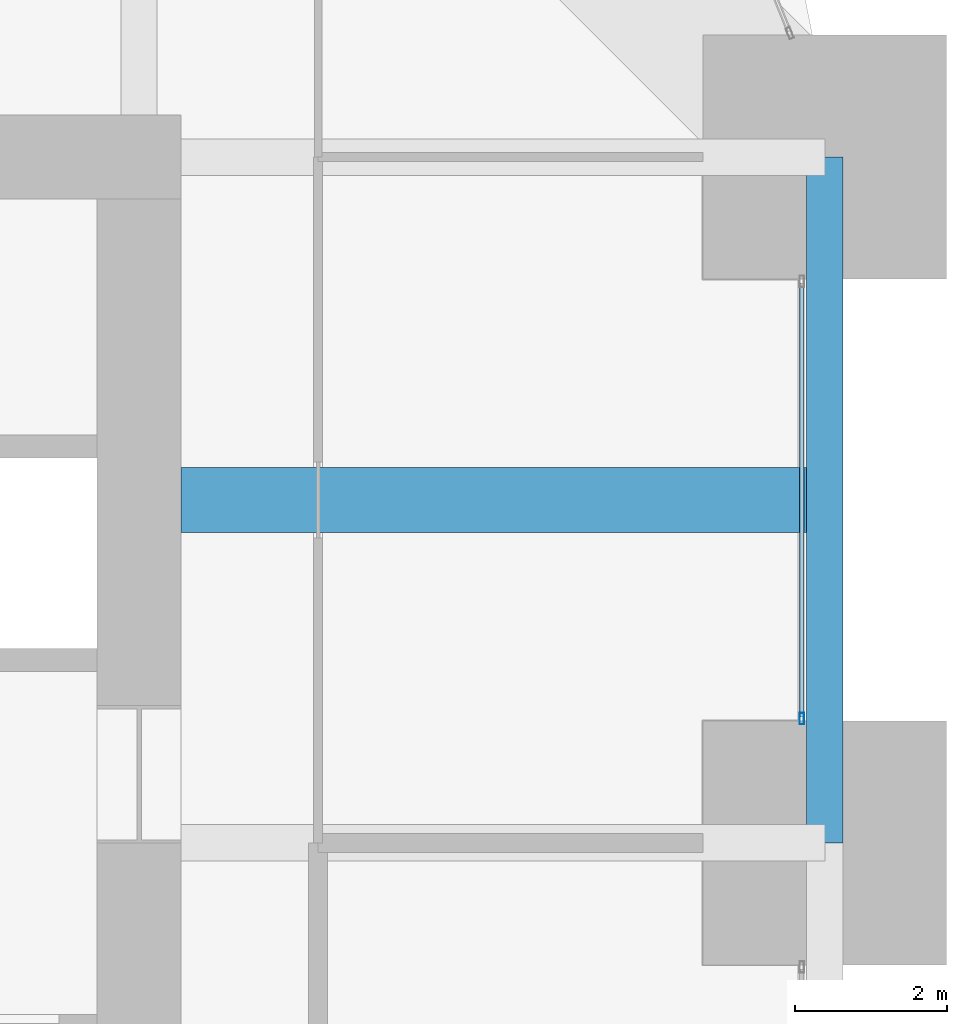
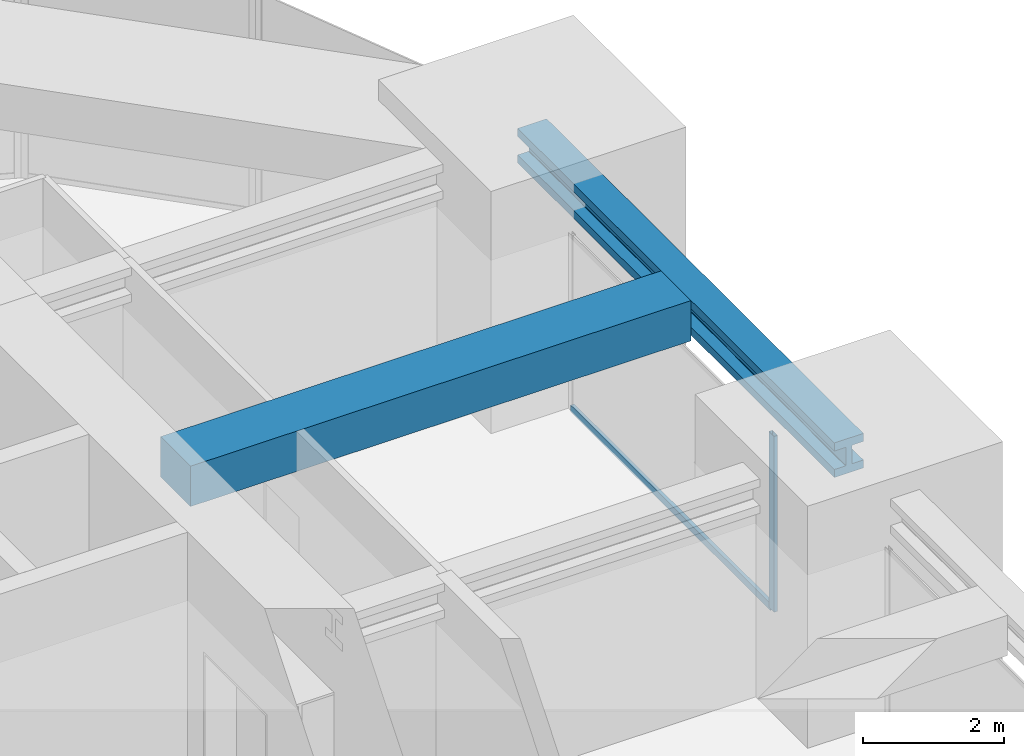
# One storey, part 22 of 39: 2 beams, 2 members, 1 element without a shape of its own.
"""IFC4 building model written with IfcOpenShell, lengths in metres."""

from ifc_helpers import new_model, si_unit, direction, frame, origin, origin_2d, place, context, subcontext, project, spatial, rectangle, hollow_rectangle, i_section, extrude, material, material_profile, profile_set, type_object, element, aggregate, save


model = new_model("IFC4")

# Units and contexts
model_context = context("Model", 3, precision=1e-05, world=origin(), true_north=direction((0.0, 1.0)))
body_context = subcontext(model_context, "Body", "Model", "MODEL_VIEW")
ifc_project = project(units=[si_unit("LENGTHUNIT", "METRE"), si_unit("AREAUNIT", "SQUARE_METRE"), si_unit("VOLUMEUNIT", "CUBIC_METRE"), si_unit("PLANEANGLEUNIT", "RADIAN"), si_unit("MASSUNIT", "GRAM", prefix="KILO")], contexts=[model_context])

# Site, building, storey
site_placement = place(None, origin())
site = spatial("IfcSite", under=ifc_project, at=site_placement, CompositionType="ELEMENT")
building_placement = place(site_placement, origin())
building = spatial("IfcBuilding", under=site, at=building_placement, Name="Zorevar Civic Tower", CompositionType="ELEMENT")
storey_placement = place(building_placement, frame((0.0, 0.0, 230.199951171875)))
storey = spatial("IfcBuildingStorey", under=building, at=storey_placement, Name="L56", CompositionType="ELEMENT", Elevation=230.199951171875)

# Beams
ifc_material_1 = material(Name="Concrete C50/60", Category="concrete")
ifc_material_profile_1 = material_profile(ifc_material_1, rectangle(XDim=0.85009765625, YDim=0.699951171875, at=origin_2d()), Name="RC 850x700")
ifc_profile_set_1 = profile_set([ifc_material_profile_1], Name="Concrete C50/60")
beam_type_1 = type_object("IfcBeamType", Name="Beam RC 850x700", PredefinedType="BEAM", material=ifc_profile_set_1)
beam_1_placement = place(storey_placement, frame((45.550048828125, 31.5, 3.5), z_axis=(1.0, 0.0, 0.0), x_axis=(0.0, 1.0, 0.0)))
element("IfcBeam", 1, at=beam_1_placement, inside=storey, type_object=beam_type_1, Name="Secondary beam L57", PredefinedType="BEAM", context=body_context, shape_type="SweptSolid", body=[
    extrude(rectangle(XDim=0.85009765625, YDim=0.699951171875, at=origin_2d()), origin(), (0.0, 0.0, 1.0), 8.2119140625),
])
ifc_material_2 = material(Name="Steel S460M (HISTAR 460)", Category="steel")
ifc_material_profile_2 = material_profile(ifc_material_2, i_section(OverallWidth=0.47607421875, OverallDepth=0.60009765625, WebThickness=0.10009765625, FlangeThickness=0.139892578125, FilletRadius=0.014892578125, at=origin_2d()), Name="HD 400x1299")
ifc_profile_set_2 = profile_set([ifc_material_profile_2], Name="Steel S460M (HISTAR 460)")
beam_type_2 = type_object("IfcBeamType", Name="Belt chord HD 400x1299", PredefinedType="BEAM", material=ifc_profile_set_2)
beam_2_placement = place(storey_placement, frame((54.0, 27.0, 3.550048828125), z_axis=(0.0, 1.0, 0.0), x_axis=(-1.0, 0.0, 0.0)))
element("IfcBeam", 2, at=beam_2_placement, inside=storey, type_object=beam_type_2, Name="Belt chord L57", PredefinedType="BEAM", context=body_context, shape_type="SweptSolid", body=[
    extrude(i_section(OverallWidth=0.47607421875, OverallDepth=0.60009765625, WebThickness=0.10009765625, FlangeThickness=0.139892578125, FilletRadius=0.014892578125, at=origin_2d()), origin(), (0.0, 0.0, 1.0), 9.0),
])

# Curtain wall, members
ifc_material_3 = material(Name="Dark grey solar-control glass in black aluminium frame", Category="aluminium")
curtain_wall_type = type_object("IfcCurtainWallType", Name="Curtain wall CW4 high zone", PredefinedType="NOTDEFINED", material=ifc_material_3)
curtain_wall_placement = place(storey_placement, origin())
curtain_wall = element("IfcCurtainWall", 3, at=curtain_wall_placement, inside=storey, type_object=curtain_wall_type, Name="CW4 L56", PredefinedType="NOTDEFINED")
ifc_material_4 = material(Name="Aluminium, black anodised", Category="aluminium")
ifc_material_profile_3 = material_profile(ifc_material_4, hollow_rectangle(XDim=0.06005859375, YDim=0.14990234375, WallThickness=0.00390625, at=origin_2d()), Name="AL 150x60x4")
ifc_profile_set_3 = profile_set([ifc_material_profile_3], Name="Aluminium, black anodised")
member_type_1 = type_object("IfcMemberType", Name="CW4 mullion AL 150x60x4", PredefinedType="MULLION", material=ifc_profile_set_3)
member_1_placement = place(storey_placement, frame((53.699951171875, 28.6298828125, 0.0), z_axis=(0.0, 0.0, 1.0), x_axis=(-1.0, 0.0, 0.0)))
member_1 = element("IfcMember", 4, at=member_1_placement, type_object=member_type_1, Name="CW4 mullion 1", PredefinedType="MULLION", context=body_context, shape_type="SweptSolid", body=[
    extrude(hollow_rectangle(XDim=0.06005859375, YDim=0.14990234375, WallThickness=0.00390625, at=origin_2d()), origin(), (0.0, 0.0, 1.0), 3.050048828125),
])
ifc_material_5 = material(Name="Aluminium, black anodised", Category="aluminium")
ifc_material_profile_4 = material_profile(ifc_material_5, hollow_rectangle(XDim=0.06005859375, YDim=0.1201171875, WallThickness=0.0029296875, at=origin_2d()), Name="AL 120x60x3")
ifc_profile_set_4 = profile_set([ifc_material_profile_4], Name="Aluminium, black anodised")
member_type_2 = type_object("IfcMemberType", Name="CW4 transom AL 120x60x3", PredefinedType="USERDEFINED", material=ifc_profile_set_4)
member_2_placement = place(storey_placement, frame((53.699951171875, 28.659912109375, 0.030029296875), z_axis=(0.0, 1.0, 0.0), x_axis=(-1.0, 0.0, 0.0)))
member_2 = element("IfcMember", 5, at=member_2_placement, type_object=member_type_2, Name="CW4 sill transom", ObjectType="TRANSOM", PredefinedType="USERDEFINED", context=body_context, shape_type="SweptSolid", body=[
    extrude(hollow_rectangle(XDim=0.06005859375, YDim=0.1201171875, WallThickness=0.0029296875, at=origin_2d()), origin(), (0.0, 0.0, 1.0), 5.68017578125),
])
aggregate(curtain_wall, [member_1, member_2])

save(model, "model.ifc")
